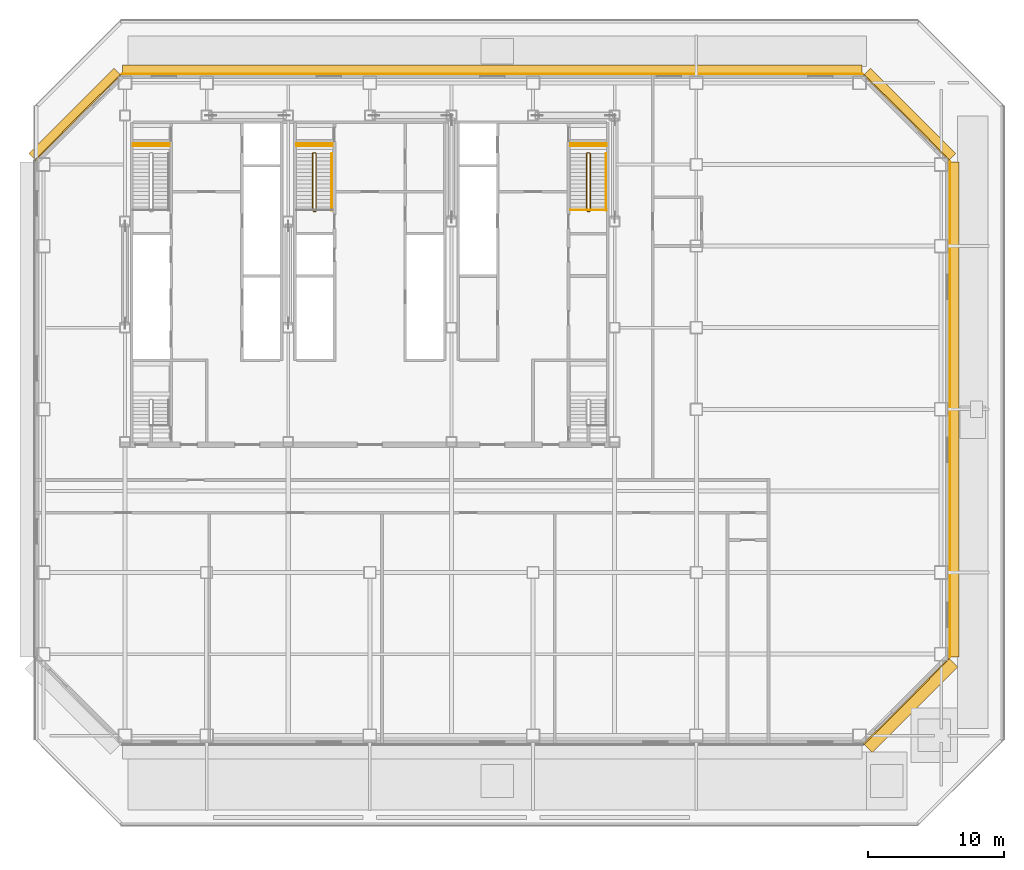
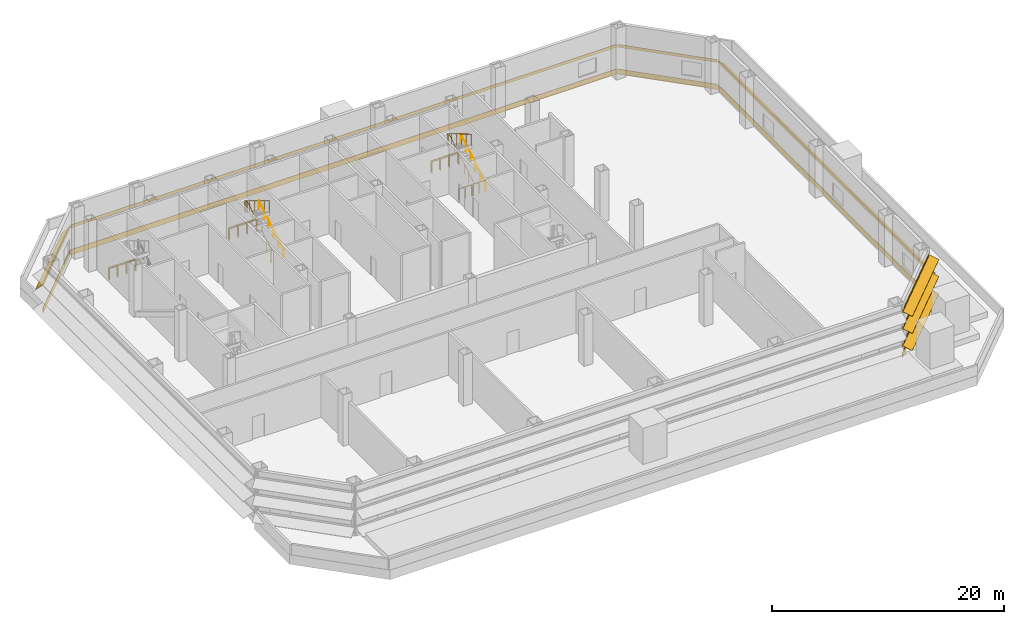
# One storey, part 10 of 11: 12 railings, 5 coverings, 5 shading devices.
"""IFC4 building model written with IfcOpenShell, lengths in metres."""

from ifc_helpers import new_model, si_unit, direction, frame, origin, origin_2d, place, context, subcontext, project, spatial, polyline, circle, outline, composite_profile, extrude, material, layer, layer_set, type_object, element, save


model = new_model("IFC4")

# Units and contexts
model_context = context("Model", 3, precision=1e-05, world=origin(), true_north=direction((0.0, 1.0)))
body_context = subcontext(model_context, "Body", "Model", "MODEL_VIEW")
ifc_project = project(units=[si_unit("LENGTHUNIT", "METRE"), si_unit("AREAUNIT", "SQUARE_METRE"), si_unit("VOLUMEUNIT", "CUBIC_METRE"), si_unit("PLANEANGLEUNIT", "RADIAN"), si_unit("MASSUNIT", "GRAM", prefix="KILO")], contexts=[model_context])

# Site, building, storey
site_placement = place(None, origin())
site = spatial("IfcSite", under=ifc_project, at=site_placement, CompositionType="ELEMENT")
building_placement = place(site_placement, origin())
building = spatial("IfcBuilding", under=site, at=building_placement, Name="Sorahane Residences", CompositionType="ELEMENT")
storey_placement = place(building_placement, frame((0.0, 0.0, 44.39990234375)))
storey = spatial("IfcBuildingStorey", under=building, at=storey_placement, Name="L07", CompositionType="ELEMENT", Elevation=44.39990234375)

# Shading devices
ifc_material_1 = material(Name="Terracotta anodised aluminium", Category="masonry")
shading_device_type_1 = type_object("IfcShadingDeviceType", Name="Louvre sunshade blade E terracotta aluminium 700", PredefinedType="JALOUSIE", material=ifc_material_1)
shading_device_1_placement = place(storey_placement, frame((66.60009765625, 5.801513671875, 2.7001953125), z_axis=(0.0, 1.0, 0.0), x_axis=(-1.0, 0.0, 0.0)))
element("IfcShadingDevice", 1, at=shading_device_1_placement, inside=storey, type_object=shading_device_type_1, Name="Louvre sunshade blade bank E L07 E1", PredefinedType="JALOUSIE", context=body_context, shape_type="SweptSolid", body=[
    extrude(outline(polyline([(-0.719970703125, -0.49365234375), (-0.719970703125, -0.523681640625), (-0.080078125, -0.05859375), (-0.080078125, -0.14990234375), (-0.02001953125, -0.14990234375), (-0.02001953125, -0.014892578125), (-0.02001953125, 0.014892578125), (-0.02001953125, 0.14990234375), (-0.080078125, 0.14990234375), (-0.080078125, -0.028564453125), (-0.719970703125, -0.49365234375)])), origin(), (0.0, 0.0, 1.0), 36.39697265625),
])
ifc_material_2 = material(Name="Terracotta anodised aluminium", Category="masonry")
shading_device_type_2 = type_object("IfcShadingDeviceType", Name="Louvre sunshade blade N terracotta aluminium 700", PredefinedType="JALOUSIE", material=ifc_material_2)
shading_device_2_placement = place(storey_placement, frame((60.198486328125, 48.60009765625, 2.7001953125), z_axis=(-1.0, 0.0, 0.0), x_axis=(0.0, -1.0, 0.0)))
element("IfcShadingDevice", 2, at=shading_device_2_placement, inside=storey, type_object=shading_device_type_2, Name="Louvre sunshade blade bank N L07 N1", PredefinedType="JALOUSIE", context=body_context, shape_type="SweptSolid", body=[
    extrude(outline(polyline([(-0.719970703125, -0.660888671875), (-0.719970703125, -0.69091796875), (-0.080078125, -0.072998046875), (-0.080078125, -0.14990234375), (-0.02001953125, -0.14990234375), (-0.02001953125, -0.014892578125), (-0.02001953125, 0.014892578125), (-0.02001953125, 0.14990234375), (-0.080078125, 0.14990234375), (-0.080078125, -0.04296875), (-0.719970703125, -0.660888671875)])), origin(), (0.0, 0.0, 1.0), 54.39697265625),
])
ifc_material_3 = material(Name="Terracotta anodised aluminium", Category="masonry")
shading_device_type_3 = type_object("IfcShadingDeviceType", Name="Louvre sunshade blade NE terracotta aluminium 700", PredefinedType="JALOUSIE", material=ifc_material_3)
shading_device_3_placement = place(storey_placement, frame((66.564697265625, 42.283935546875, 2.7001953125), z_axis=(-0.707106781187, 0.707106781187, 0.0), x_axis=(-0.707106781187, -0.707106781187, 0.0)))
element("IfcShadingDevice", 3, at=shading_device_3_placement, inside=storey, type_object=shading_device_type_3, Name="Louvre sunshade blade bank NE L07 NE1", PredefinedType="JALOUSIE", context=body_context, shape_type="SweptSolid", body=[
    extrude(outline(polyline([(-0.719970703125, -0.572509765625), (-0.719970703125, -0.602294921875), (-0.080078125, -0.065185546875), (-0.080078125, -0.14990234375), (-0.02001953125, -0.14990234375), (-0.02001953125, -0.014892578125), (-0.02001953125, 0.014892578125), (-0.02001953125, 0.14990234375), (-0.080078125, 0.14990234375), (-0.080078125, -0.035400390625), (-0.719970703125, -0.572509765625)])), origin(), (0.0, 0.0, 1.0), 8.88232421875),
])
ifc_material_4 = material(Name="Terracotta anodised aluminium", Category="masonry")
shading_device_type_4 = type_object("IfcShadingDeviceType", Name="Louvre sunshade blade NW terracotta aluminium 700", PredefinedType="JALOUSIE", material=ifc_material_4)
shading_device_4_placement = place(storey_placement, frame((5.716064453125, 48.564697265625, 2.7001953125), z_axis=(-0.707106781187, -0.707106781187, 0.0), x_axis=(0.707106781187, -0.707106781187, 0.0)))
element("IfcShadingDevice", 4, at=shading_device_4_placement, inside=storey, type_object=shading_device_type_4, Name="Louvre sunshade blade bank NW L07 NW1", PredefinedType="JALOUSIE", context=body_context, shape_type="SweptSolid", body=[
    extrude(outline(polyline([(-0.719970703125, -0.660888671875), (-0.719970703125, -0.69091796875), (-0.080078125, -0.072998046875), (-0.080078125, -0.14990234375), (-0.02001953125, -0.14990234375), (-0.02001953125, -0.014892578125), (-0.02001953125, 0.014892578125), (-0.02001953125, 0.14990234375), (-0.080078125, 0.14990234375), (-0.080078125, -0.04296875), (-0.719970703125, -0.660888671875)])), origin(), (0.0, 0.0, 1.0), 8.88232421875),
])
ifc_material_5 = material(Name="Terracotta anodised aluminium", Category="masonry")
shading_device_type_5 = type_object("IfcShadingDeviceType", Name="Louvre sunshade blade SE terracotta aluminium 900", PredefinedType="JALOUSIE", material=ifc_material_5)
shading_device_5_placement = place(storey_placement, frame((60.283935546875, -0.564697265625, 0.900146484375), z_axis=(0.707106781187, 0.707106781187, 0.0), x_axis=(-0.707106781187, 0.707106781187, 0.0)))
element("IfcShadingDevice", 5, at=shading_device_5_placement, inside=storey, type_object=shading_device_type_5, Name="Louvre sunshade blade bank SE L07 SE1", PredefinedType="JALOUSIE", context=body_context, shape_type="SweptSolid", body=[
    extrude(composite_profile([outline(polyline([(-0.919921875, -0.3486328125), (-0.919921875, -0.378662109375), (-0.080078125, -0.039306640625), (-0.080078125, -0.14990234375), (-0.02001953125, -0.14990234375), (-0.02001953125, -0.014892578125), (-0.02001953125, 0.014892578125), (-0.02001953125, 0.14990234375), (-0.080078125, 0.14990234375), (-0.080078125, -0.00927734375), (-0.919921875, -0.3486328125)])), outline(polyline([(-0.919921875, 1.451416015625), (-0.919921875, 1.42138671875), (-0.080078125, 1.7607421875), (-0.080078125, 1.64990234375), (-0.02001953125, 1.64990234375), (-0.02001953125, 1.784912109375), (-0.02001953125, 1.81494140625), (-0.02001953125, 1.949951171875), (-0.080078125, 1.949951171875), (-0.080078125, 1.790771484375), (-0.919921875, 1.451416015625)])), outline(polyline([(-0.919921875, 3.25146484375), (-0.919921875, 3.221435546875), (-0.080078125, 3.560791015625), (-0.080078125, 3.449951171875), (-0.02001953125, 3.449951171875), (-0.02001953125, 3.5849609375), (-0.02001953125, 3.614990234375), (-0.02001953125, 3.75), (-0.080078125, 3.75), (-0.080078125, 3.5908203125), (-0.919921875, 3.25146484375)]))]), origin(), (0.0, 0.0, 1.0), 8.88232421875),
])

# Coverings
ifc_material_6 = material(Name="Pale precast concrete cladding", Category="concrete")
ifc_layer = layer(ifc_material_6, 0.06005859375)
ifc_layer_set = layer_set([ifc_layer], Name="Slab edge fascia band pale precast concrete 550")
covering_type = type_object("IfcCoveringType", Name="Slab edge fascia band pale precast concrete 550", PredefinedType="CLADDING", material=ifc_layer_set)
covering_1_placement = place(storey_placement, frame((60.2626953125, -0.5859375, -0.02490234375), z_axis=(0.707106781187, 0.707106781187, 0.0), x_axis=(-0.707106781187, 0.707106781187, 0.0)))
element("IfcCovering", 6, at=covering_1_placement, inside=storey, type_object=covering_type, Name="Slab edge fascia pale L07 SE1", PredefinedType="CLADDING", context=body_context, shape_type="SweptSolid", body=[
    extrude(outline(polyline([(-0.02001953125, 0.27490234375), (-0.080078125, 0.27490234375), (-0.080078125, -0.27490234375), (-0.02001953125, -0.27490234375), (-0.02001953125, 0.27490234375)])), origin(), (0.0, 0.0, 1.0), 8.9423828125),
])
covering_2_placement = place(storey_placement, frame((66.60009765625, 5.771484375, -0.02490234375), z_axis=(0.0, 1.0, 0.0), x_axis=(-1.0, 0.0, 0.0)))
element("IfcCovering", 7, at=covering_2_placement, inside=storey, type_object=covering_type, Name="Slab edge fascia pale L07 E1", PredefinedType="CLADDING", context=body_context, shape_type="SweptSolid", body=[
    extrude(outline(polyline([(-0.02001953125, 0.27490234375), (-0.080078125, 0.27490234375), (-0.080078125, -0.27490234375), (-0.02001953125, -0.27490234375), (-0.02001953125, 0.27490234375)])), origin(), (0.0, 0.0, 1.0), 36.45703125),
])
covering_3_placement = place(storey_placement, frame((66.5859375, 42.2626953125, -0.02490234375), z_axis=(-0.707106781187, 0.707106781187, 0.0), x_axis=(-0.707106781187, -0.707106781187, 0.0)))
element("IfcCovering", 8, at=covering_3_placement, inside=storey, type_object=covering_type, Name="Slab edge fascia pale L07 NE1", PredefinedType="CLADDING", context=body_context, shape_type="SweptSolid", body=[
    extrude(outline(polyline([(-0.02001953125, 0.27490234375), (-0.080078125, 0.27490234375), (-0.080078125, -0.27490234375), (-0.02001953125, -0.27490234375), (-0.02001953125, 0.27490234375)])), origin(), (0.0, 0.0, 1.0), 8.9423828125),
])
covering_4_placement = place(storey_placement, frame((60.228515625, 48.60009765625, -0.02490234375), z_axis=(-1.0, 0.0, 0.0), x_axis=(0.0, -1.0, 0.0)))
element("IfcCovering", 9, at=covering_4_placement, inside=storey, type_object=covering_type, Name="Slab edge fascia pale L07 N1", PredefinedType="CLADDING", context=body_context, shape_type="SweptSolid", body=[
    extrude(outline(polyline([(-0.02001953125, 0.27490234375), (-0.080078125, 0.27490234375), (-0.080078125, -0.27490234375), (-0.02001953125, -0.27490234375), (-0.02001953125, 0.27490234375)])), origin(), (0.0, 0.0, 1.0), 54.45703125),
])
covering_5_placement = place(storey_placement, frame((5.7373046875, 48.5859375, -0.02490234375), z_axis=(-0.707106781187, -0.707106781187, 0.0), x_axis=(0.707106781187, -0.707106781187, 0.0)))
element("IfcCovering", 10, at=covering_5_placement, inside=storey, type_object=covering_type, Name="Slab edge fascia pale L07 NW1", PredefinedType="CLADDING", context=body_context, shape_type="SweptSolid", body=[
    extrude(outline(polyline([(-0.02001953125, 0.27490234375), (-0.080078125, 0.27490234375), (-0.080078125, -0.27490234375), (-0.02001953125, -0.27490234375), (-0.02001953125, 0.27490234375)])), origin(), (0.0, 0.0, 1.0), 8.9423828125),
])

# Railings
ifc_material_7 = material(Name="Steel Q355B", Category="steel")
railing_type_1 = type_object("IfcRailingType", Name="Stair guard 1200 Steel Q355B", PredefinedType="GUARDRAIL", material=ifc_material_7)
for number, where, name in (
    (11, (6.60009765625, 43.52490234375, 0.0), "L07 S1 top well guard 1"),
    (12, (6.60009765625, 43.35009765625, 0.0), "L07 Stair S1 edge guard"),
    (13, (38.75, 43.52490234375, 0.0), "L07 S2 top well guard 1"),
):
    element("IfcRailing", number, at=place(storey_placement, frame(where)), inside=storey, type_object=railing_type_1, Name=name, PredefinedType="GUARDRAIL", context=body_context, shape_type="SweptSolid", body=[
        extrude(circle(Radius=0.02392578125, at=origin_2d()), frame((0.0, 0.0, 1.17578125), z_axis=(1.0, 0.0, 0.0), x_axis=(0.0, 1.0, 0.0)), (0.0, 0.0, 1.0), 2.64990234375),
        extrude(circle(Radius=0.02099609375, at=origin_2d()), origin(), (0.0, 0.0, 1.0), 1.15185546875),
        extrude(circle(Radius=0.02099609375, at=origin_2d()), frame((0.88330078125, 0.0, 0.0)), (0.0, 0.0, 1.0), 1.15185546875),
        extrude(circle(Radius=0.02099609375, at=origin_2d()), frame((1.7666015625, 0.0, 0.0)), (0.0, 0.0, 1.0), 1.15185546875),
        extrude(circle(Radius=0.02099609375, at=origin_2d()), frame((2.64990234375, 0.0, 0.0)), (0.0, 0.0, 1.0), 1.15185546875),
    ])
for number, where, name in (
    (14, (38.75, 38.64990234375, 0.0), "L07 Stair S2 edge guard"),
    (15, (40.133056640625, 38.64990234375, 0.0), "L07 Stair S2 edge guard"),
):
    element("IfcRailing", number, at=place(storey_placement, frame(where)), inside=storey, type_object=railing_type_1, Name=name, PredefinedType="GUARDRAIL", context=body_context, shape_type="SweptSolid", body=[
        extrude(circle(Radius=0.02392578125, at=origin_2d()), frame((0.0, 0.0, 1.17578125), z_axis=(1.0, 0.0, 0.0), x_axis=(0.0, 1.0, 0.0)), (0.0, 0.0, 1.0), 1.266845703125),
        extrude(circle(Radius=0.02099609375, at=origin_2d()), origin(), (0.0, 0.0, 1.0), 1.15185546875),
        extrude(circle(Radius=0.02099609375, at=origin_2d()), frame((0.63330078125, 0.0, 0.0)), (0.0, 0.0, 1.0), 1.15185546875),
        extrude(circle(Radius=0.02099609375, at=origin_2d()), frame((1.266845703125, 0.0, 0.0)), (0.0, 0.0, 1.0), 1.15185546875),
    ])
railing_1_placement = place(storey_placement, frame((38.75, 43.35009765625, 0.0)))
element("IfcRailing", 16, at=railing_1_placement, inside=storey, type_object=railing_type_1, Name="L07 Stair S2 edge guard", PredefinedType="GUARDRAIL", context=body_context, shape_type="SweptSolid", body=[
    extrude(circle(Radius=0.02392578125, at=origin_2d()), frame((0.0, 0.0, 1.17578125), z_axis=(1.0, 0.0, 0.0), x_axis=(0.0, 1.0, 0.0)), (0.0, 0.0, 1.0), 2.64990234375),
    extrude(circle(Radius=0.02099609375, at=origin_2d()), origin(), (0.0, 0.0, 1.0), 1.15185546875),
    extrude(circle(Radius=0.02099609375, at=origin_2d()), frame((0.88330078125, 0.0, 0.0)), (0.0, 0.0, 1.0), 1.15185546875),
    extrude(circle(Radius=0.02099609375, at=origin_2d()), frame((1.7666015625, 0.0, 0.0)), (0.0, 0.0, 1.0), 1.15185546875),
    extrude(circle(Radius=0.02099609375, at=origin_2d()), frame((2.64990234375, 0.0, 0.0)), (0.0, 0.0, 1.0), 1.15185546875),
])
railing_2_placement = place(storey_placement, frame((40.0, 38.550048828125, 0.0)))
element("IfcRailing", 17, at=railing_2_placement, inside=storey, type_object=railing_type_1, Name="L07 S2 stair guard 1", PredefinedType="GUARDRAIL", context=body_context, shape_type="SweptSolid", body=[
    extrude(circle(Radius=0.02392578125, at=origin_2d()), frame((0.0, 0.0, 1.17578125), z_axis=(1.0, 0.0, 0.0), x_axis=(0.0, 1.0, 0.0)), (0.0, 0.0, 1.0), 0.14990234375),
    extrude(circle(Radius=0.02392578125, at=origin_2d()), frame((0.14990234375, 0.0, 1.17578125), z_axis=(0.273232802156, 0.273232802156, 0.922327312645), x_axis=(-0.707106781187, 0.707106781187, 0.0)), (0.0, 0.0, 1.0), 0.18310546875),
    extrude(circle(Radius=0.02392578125, at=origin_2d()), frame((0.199951171875, 0.050048828125, 1.3447265625), z_axis=(0.0, 0.856476492594, 0.516186030065), x_axis=(-1.0, 0.0, 0.0)), (0.0, 0.0, 1.0), 4.90380859375),
    extrude(circle(Radius=0.02392578125, at=origin_2d()), frame((0.199951171875, 4.25, 3.8759765625), z_axis=(-0.707106781187, 0.707106781187, 0.0), x_axis=(-0.707106781187, -0.707106781187, 0.0)), (0.0, 0.0, 1.0), 0.07080078125),
    extrude(circle(Radius=0.02392578125, at=origin_2d()), frame((0.14990234375, 4.300048828125, 3.8759765625), z_axis=(-1.0, 0.0, 0.0), x_axis=(0.0, -1.0, 0.0)), (0.0, 0.0, 1.0), 0.14990234375),
    extrude(circle(Radius=0.02392578125, at=origin_2d()), frame((0.0, 4.300048828125, 3.8759765625), z_axis=(-0.273569069059, -0.273569069059, 0.922127935218), x_axis=(0.707106781187, -0.707106781187, 0.0)), (0.0, 0.0, 1.0), 0.182861328125),
    extrude(circle(Radius=0.02392578125, at=origin_2d()), frame((-0.050048828125, 4.25, 4.044921875), z_axis=(0.0, -0.856476492594, 0.516186030065), x_axis=(1.0, 0.0, 0.0)), (0.0, 0.0, 1.0), 4.90380859375),
    extrude(circle(Radius=0.02099609375, at=origin_2d()), origin(), (0.0, 0.0, 1.0), 1.15185546875),
    extrude(circle(Radius=0.02099609375, at=origin_2d()), frame((0.14990234375, 0.0, 0.0)), (0.0, 0.0, 1.0), 1.15185546875),
    extrude(circle(Radius=0.02099609375, at=origin_2d()), frame((0.199951171875, 0.050048828125, 0.1689453125)), (0.0, 0.0, 1.0), 1.15185546875),
    extrude(circle(Radius=0.02099609375, at=origin_2d()), frame((0.199951171875, 0.89013671875, 0.67529296875)), (0.0, 0.0, 1.0), 1.15185546875),
    extrude(circle(Radius=0.02099609375, at=origin_2d()), frame((0.199951171875, 1.72998046875, 1.181396484375)), (0.0, 0.0, 1.0), 1.15185546875),
    extrude(circle(Radius=0.02099609375, at=origin_2d()), frame((0.199951171875, 2.570068359375, 1.687744140625)), (0.0, 0.0, 1.0), 1.15185546875),
    extrude(circle(Radius=0.02099609375, at=origin_2d()), frame((0.199951171875, 3.409912109375, 2.19384765625)), (0.0, 0.0, 1.0), 1.15185546875),
    extrude(circle(Radius=0.02099609375, at=origin_2d()), frame((0.199951171875, 4.25, 2.7001953125)), (0.0, 0.0, 1.0), 1.15185546875),
    extrude(circle(Radius=0.02099609375, at=origin_2d()), frame((0.14990234375, 4.300048828125, 2.7001953125)), (0.0, 0.0, 1.0), 1.15185546875),
    extrude(circle(Radius=0.02099609375, at=origin_2d()), frame((0.0, 4.300048828125, 2.7001953125)), (0.0, 0.0, 1.0), 1.15185546875),
    extrude(circle(Radius=0.02099609375, at=origin_2d()), frame((-0.050048828125, 4.25, 2.868896484375)), (0.0, 0.0, 1.0), 1.15185546875),
    extrude(circle(Radius=0.02099609375, at=origin_2d()), frame((-0.050048828125, 3.409912109375, 3.375244140625)), (0.0, 0.0, 1.0), 1.15185546875),
    extrude(circle(Radius=0.02099609375, at=origin_2d()), frame((-0.050048828125, 2.570068359375, 3.88134765625)), (0.0, 0.0, 1.0), 1.15185546875),
    extrude(circle(Radius=0.02099609375, at=origin_2d()), frame((-0.050048828125, 1.72998046875, 4.3876953125)), (0.0, 0.0, 1.0), 1.15185546875),
    extrude(circle(Radius=0.02099609375, at=origin_2d()), frame((-0.050048828125, 0.89013671875, 4.893798828125)), (0.0, 0.0, 1.0), 1.15185546875),
    extrude(circle(Radius=0.02099609375, at=origin_2d()), frame((-0.050048828125, 0.050048828125, 5.400146484375)), (0.0, 0.0, 1.0), 1.15185546875),
])
for number, where, name in (
    (18, (18.60009765625, 43.52490234375, 0.0), "L07 S3 top well guard 1"),
    (19, (18.60009765625, 43.35009765625, 0.0), "L07 Stair S3 edge guard"),
):
    element("IfcRailing", number, at=place(storey_placement, frame(where)), inside=storey, type_object=railing_type_1, Name=name, PredefinedType="GUARDRAIL", context=body_context, shape_type="SweptSolid", body=[
        extrude(circle(Radius=0.02392578125, at=origin_2d()), frame((0.0, 0.0, 1.17578125), z_axis=(1.0, 0.0, 0.0), x_axis=(0.0, 1.0, 0.0)), (0.0, 0.0, 1.0), 2.64990234375),
        extrude(circle(Radius=0.02099609375, at=origin_2d()), origin(), (0.0, 0.0, 1.0), 1.15185546875),
        extrude(circle(Radius=0.02099609375, at=origin_2d()), frame((0.88330078125, 0.0, 0.0)), (0.0, 0.0, 1.0), 1.15185546875),
        extrude(circle(Radius=0.02099609375, at=origin_2d()), frame((1.7666015625, 0.0, 0.0)), (0.0, 0.0, 1.0), 1.15185546875),
        extrude(circle(Radius=0.02099609375, at=origin_2d()), frame((2.64990234375, 0.0, 0.0)), (0.0, 0.0, 1.0), 1.15185546875),
    ])
railing_3_placement = place(storey_placement, frame((19.85009765625, 38.550048828125, 0.0)))
element("IfcRailing", 20, at=railing_3_placement, inside=storey, type_object=railing_type_1, Name="L07 S3 stair guard 1", PredefinedType="GUARDRAIL", context=body_context, shape_type="SweptSolid", body=[
    extrude(circle(Radius=0.02392578125, at=origin_2d()), frame((0.0, 0.0, 1.17578125), z_axis=(1.0, 0.0, 0.0), x_axis=(0.0, 1.0, 0.0)), (0.0, 0.0, 1.0), 0.14990234375),
    extrude(circle(Radius=0.02392578125, at=origin_2d()), frame((0.14990234375, 0.0, 1.17578125), z_axis=(0.273232802156, 0.273232802156, 0.922327312645), x_axis=(-0.707106781187, 0.707106781187, 0.0)), (0.0, 0.0, 1.0), 0.18310546875),
    extrude(circle(Radius=0.02392578125, at=origin_2d()), frame((0.199951171875, 0.050048828125, 1.3447265625), z_axis=(0.0, 0.856476492594, 0.516186030065), x_axis=(-1.0, 0.0, 0.0)), (0.0, 0.0, 1.0), 4.90380859375),
    extrude(circle(Radius=0.02392578125, at=origin_2d()), frame((0.199951171875, 4.25, 3.8759765625), z_axis=(-0.707106781187, 0.707106781187, 0.0), x_axis=(-0.707106781187, -0.707106781187, 0.0)), (0.0, 0.0, 1.0), 0.07080078125),
    extrude(circle(Radius=0.02392578125, at=origin_2d()), frame((0.14990234375, 4.300048828125, 3.8759765625), z_axis=(-1.0, 0.0, 0.0), x_axis=(0.0, -1.0, 0.0)), (0.0, 0.0, 1.0), 0.14990234375),
    extrude(circle(Radius=0.02392578125, at=origin_2d()), frame((0.0, 4.300048828125, 3.8759765625), z_axis=(-0.273569069059, -0.273569069059, 0.922127935218), x_axis=(0.707106781187, -0.707106781187, 0.0)), (0.0, 0.0, 1.0), 0.182861328125),
    extrude(circle(Radius=0.02392578125, at=origin_2d()), frame((-0.050048828125, 4.25, 4.044921875), z_axis=(0.0, -0.856476492594, 0.516186030065), x_axis=(1.0, 0.0, 0.0)), (0.0, 0.0, 1.0), 4.90380859375),
    extrude(circle(Radius=0.02099609375, at=origin_2d()), origin(), (0.0, 0.0, 1.0), 1.15185546875),
    extrude(circle(Radius=0.02099609375, at=origin_2d()), frame((0.14990234375, 0.0, 0.0)), (0.0, 0.0, 1.0), 1.15185546875),
    extrude(circle(Radius=0.02099609375, at=origin_2d()), frame((0.199951171875, 0.050048828125, 0.1689453125)), (0.0, 0.0, 1.0), 1.15185546875),
    extrude(circle(Radius=0.02099609375, at=origin_2d()), frame((0.199951171875, 0.89013671875, 0.67529296875)), (0.0, 0.0, 1.0), 1.15185546875),
    extrude(circle(Radius=0.02099609375, at=origin_2d()), frame((0.199951171875, 1.72998046875, 1.181396484375)), (0.0, 0.0, 1.0), 1.15185546875),
    extrude(circle(Radius=0.02099609375, at=origin_2d()), frame((0.199951171875, 2.570068359375, 1.687744140625)), (0.0, 0.0, 1.0), 1.15185546875),
    extrude(circle(Radius=0.02099609375, at=origin_2d()), frame((0.199951171875, 3.409912109375, 2.19384765625)), (0.0, 0.0, 1.0), 1.15185546875),
    extrude(circle(Radius=0.02099609375, at=origin_2d()), frame((0.199951171875, 4.25, 2.7001953125)), (0.0, 0.0, 1.0), 1.15185546875),
    extrude(circle(Radius=0.02099609375, at=origin_2d()), frame((0.14990234375, 4.300048828125, 2.7001953125)), (0.0, 0.0, 1.0), 1.15185546875),
    extrude(circle(Radius=0.02099609375, at=origin_2d()), frame((0.0, 4.300048828125, 2.7001953125)), (0.0, 0.0, 1.0), 1.15185546875),
    extrude(circle(Radius=0.02099609375, at=origin_2d()), frame((-0.050048828125, 4.25, 2.868896484375)), (0.0, 0.0, 1.0), 1.15185546875),
    extrude(circle(Radius=0.02099609375, at=origin_2d()), frame((-0.050048828125, 3.409912109375, 3.375244140625)), (0.0, 0.0, 1.0), 1.15185546875),
    extrude(circle(Radius=0.02099609375, at=origin_2d()), frame((-0.050048828125, 2.570068359375, 3.88134765625)), (0.0, 0.0, 1.0), 1.15185546875),
    extrude(circle(Radius=0.02099609375, at=origin_2d()), frame((-0.050048828125, 1.72998046875, 4.3876953125)), (0.0, 0.0, 1.0), 1.15185546875),
    extrude(circle(Radius=0.02099609375, at=origin_2d()), frame((-0.050048828125, 0.89013671875, 4.893798828125)), (0.0, 0.0, 1.0), 1.15185546875),
    extrude(circle(Radius=0.02099609375, at=origin_2d()), frame((-0.050048828125, 0.050048828125, 5.400146484375)), (0.0, 0.0, 1.0), 1.15185546875),
])
ifc_material_8 = material(Name="Steel Q355B", Category="steel")
railing_type_2 = type_object("IfcRailingType", Name="Stair handrail 900 Steel Q355B", PredefinedType="HANDRAIL", material=ifc_material_8)
for number, where, name in (
    (21, (41.35009765625, 38.60009765625, 0.1689453125), "L07 S2 stair handrail 1"),
    (22, (21.199951171875, 38.60009765625, 0.1689453125), "L07 S3 stair handrail 1"),
):
    element("IfcRailing", number, at=place(storey_placement, frame(where)), inside=storey, type_object=railing_type_2, Name=name, PredefinedType="HANDRAIL", context=body_context, shape_type="SweptSolid", body=[
        extrude(circle(Radius=0.02392578125, at=origin_2d()), frame((0.0, 0.0, 0.8759765625), z_axis=(0.0, 0.856476492594, 0.516186030065), x_axis=(-1.0, 0.0, 0.0)), (0.0, 0.0, 1.0), 4.90380859375),
        extrude(circle(Radius=0.02099609375, at=origin_2d()), origin(), (0.0, 0.0, 1.0), 0.851806640625),
        extrude(circle(Radius=0.02099609375, at=origin_2d()), frame((0.0, 0.840087890625, 0.50634765625)), (0.0, 0.0, 1.0), 0.851806640625),
        extrude(circle(Radius=0.02099609375, at=origin_2d()), frame((0.0, 1.679931640625, 1.012451171875)), (0.0, 0.0, 1.0), 0.851806640625),
        extrude(circle(Radius=0.02099609375, at=origin_2d()), frame((0.0, 2.52001953125, 1.518798828125)), (0.0, 0.0, 1.0), 0.851806640625),
        extrude(circle(Radius=0.02099609375, at=origin_2d()), frame((0.0, 3.35986328125, 2.02490234375)), (0.0, 0.0, 1.0), 0.851806640625),
        extrude(circle(Radius=0.02099609375, at=origin_2d()), frame((0.0, 4.199951171875, 2.53125)), (0.0, 0.0, 1.0), 0.851806640625),
    ])

save(model, "model.ifc")
